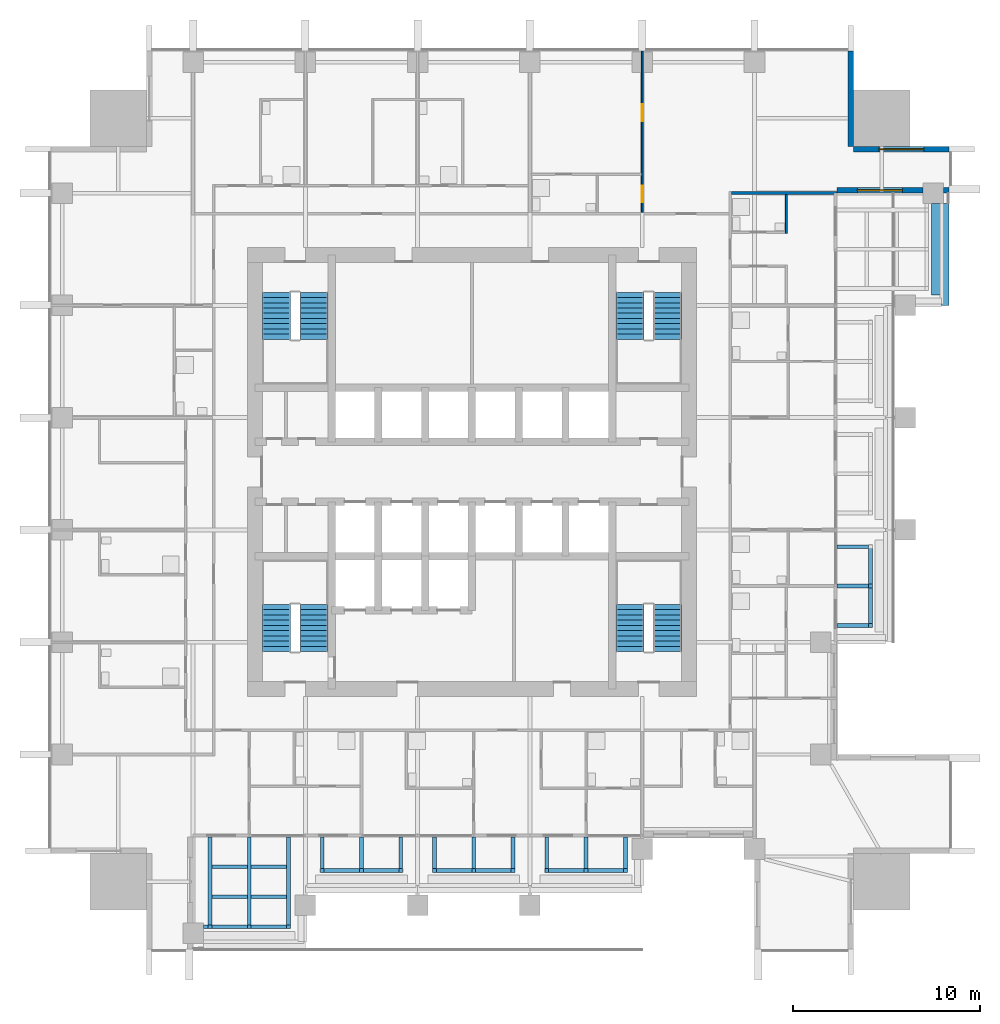
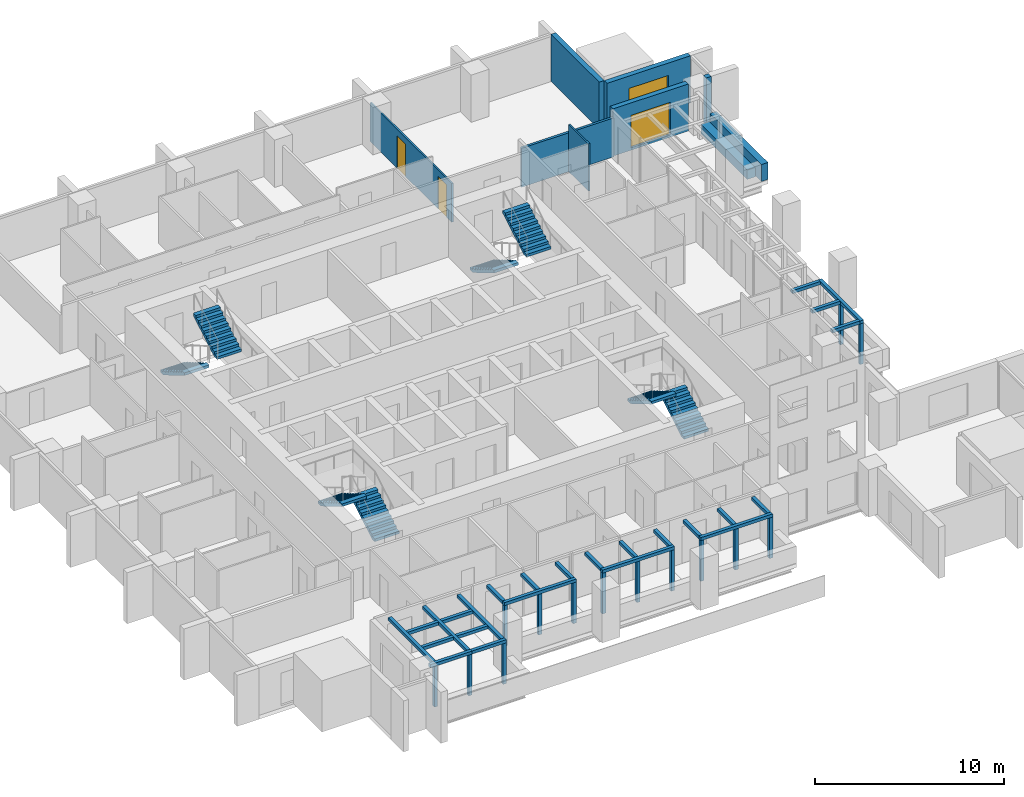
# One storey, part 12 of 16: 39 discrete accessories, 9 walls, 8 stair flights, 2 doors, 2 windows, 4 openings, 4 elements without a shape of their own.
"""IFC4 building model written with IfcOpenShell, lengths in metres."""

import ifcopenshell
import ifcopenshell.guid

model = None  # the IFC model being written
_history = None  # IfcOwnerHistory: only IFC2X3 demands one
_inside = {}  # id of a spatial element -> (the spatial element, [elements in it])
_under = {}  # id of a project, library or spatial element -> (it, [spatial elements below it])
_declared = {}  # id of a project -> (the project, [libraries it declares])
_typed = {}  # id of a type object -> (the type object, [elements of that type])
_made_of = {}  # id of a material, layer set ... -> (it, [elements and type objects made of it])


def new_model(schema):
    """Start an empty IFC model of exactly this schema.

    Asked for "IFC4X3", IfcOpenShell would pick the latest addendum, in which some entities
    have other attributes; the version numbers below select the first issue.
    IFC2X3 requires an IfcOwnerHistory on every rooted entity: one is made here for all.
    """
    global model, _history
    if schema == "IFC4X3":
        model = ifcopenshell.file(schema_version=(4, 3, 0, 0))
    else:
        model = ifcopenshell.file(schema=schema)
    _inside.clear()
    _under.clear()
    _declared.clear()
    _typed.clear()
    _made_of.clear()
    _history = None
    if model.schema == "IFC2X3":
        org = make("IfcOrganization", Name="unknown")
        user = make(
            "IfcPersonAndOrganization",
            ThePerson=make("IfcPerson", FamilyName="unknown"),
            TheOrganization=org,
        )
        app = make(
            "IfcApplication",
            ApplicationDeveloper=org,
            Version="unknown",
            ApplicationFullName="unknown",
            ApplicationIdentifier="unknown",
        )
        _history = make(
            "IfcOwnerHistory",
            OwningUser=user,
            OwningApplication=app,
            ChangeAction="ADDED",
            CreationDate=0,
        )
    return model


def make(cls, **values):
    """One entity of the class cls with the attributes given. An attribute that is None is left unset."""
    return model.create_entity(
        cls, **{name: value for name, value in values.items() if value is not None}
    )


def rooted(cls, **values):
    """An entity with a GlobalId (a new one), such as an element, a storey or a relation."""
    return make(cls, GlobalId=ifcopenshell.guid.new(), OwnerHistory=_history, **values)


def si_unit(unit_type, name, prefix=None):
    """IfcSIUnit, for example si_unit("LENGTHUNIT", "METRE", prefix="MILLI")."""
    return make("IfcSIUnit", UnitType=unit_type, Prefix=prefix, Name=name)


def assignment(units):
    """IfcUnitAssignment: the units of a project."""
    return None if units is None else make("IfcUnitAssignment", Units=units)


def point(xyz):
    """IfcCartesianPoint."""
    return None if xyz is None else make("IfcCartesianPoint", Coordinates=xyz)


def direction(xyz):
    """IfcDirection."""
    return None if xyz is None else make("IfcDirection", DirectionRatios=xyz)


def frame(location, z_axis=None, x_axis=None):
    """IfcAxis2Placement3D, a coordinate frame: its origin and axes. An axis left out is left unset."""
    return make(
        "IfcAxis2Placement3D",
        Location=point(location),
        Axis=direction(z_axis),
        RefDirection=direction(x_axis),
    )


def frame_2d(location, x_axis=None):
    """IfcAxis2Placement2D, a coordinate frame in the plane: its origin and x axis."""
    return make(
        "IfcAxis2Placement2D", Location=point(location), RefDirection=direction(x_axis)
    )


def origin():
    """The frame at (0, 0, 0) with its axes left unset."""
    return frame((0.0, 0.0, 0.0))


def origin_2d():
    """The frame at (0, 0) in the plane with its x axis left unset."""
    return frame_2d((0.0, 0.0))


def place(relative_to, where):
    """IfcLocalPlacement: puts the frame where relative to a parent placement (None: the world)."""
    return make(
        "IfcLocalPlacement", PlacementRelTo=relative_to, RelativePlacement=where
    )


def context(
    kind, dimensions, precision=None, world=None, true_north=None, identifier=None
):
    """IfcGeometricRepresentationContext, for example the 3D "Model" context."""
    return make(
        "IfcGeometricRepresentationContext",
        ContextIdentifier=identifier,
        ContextType=kind,
        CoordinateSpaceDimension=dimensions,
        Precision=precision,
        WorldCoordinateSystem=world,
        TrueNorth=true_north,
    )


def subcontext(parent, identifier, kind, view, scale=None):
    """IfcGeometricRepresentationSubContext, for example "Body" below "Model"."""
    return make(
        "IfcGeometricRepresentationSubContext",
        ContextIdentifier=identifier,
        ContextType=kind,
        ParentContext=parent,
        TargetScale=scale,
        TargetView=view,
    )


def project(units=None, contexts=None):
    """IfcProject with its units and contexts."""
    return rooted(
        "IfcProject",
        Name="project",
        RepresentationContexts=contexts,
        UnitsInContext=assignment(units),
    )


def spatial(cls, under=None, at=None, **own):
    """A site, building, storey or space (cls), placed at a placement, below another one or the project."""
    s = rooted(cls, ObjectPlacement=at, **own)
    if under is not None:
        _under.setdefault(under.id(), (under, []))[1].append(s)
    return s


def polyline(points):
    """IfcPolyline through the points."""
    return make("IfcPolyline", Points=[point(p) for p in points])


def profile(cls, at=None, kind="AREA", **sizes):
    """A parametric profile (cls). Its sizes go by their IFC names, for example OverallWidth=200.0."""
    return make(cls, ProfileType=kind, Position=at, **sizes)


def rectangle(**sizes):
    """IfcRectangleProfileDef."""
    return profile("IfcRectangleProfileDef", **sizes)


def outline(outer, holes=None, kind="AREA"):
    """IfcArbitraryClosedProfileDef: a profile drawn as a closed curve; with holes, ...WithVoids."""
    if holes is None:
        return make("IfcArbitraryClosedProfileDef", ProfileType=kind, OuterCurve=outer)
    return make(
        "IfcArbitraryProfileDefWithVoids",
        ProfileType=kind,
        OuterCurve=outer,
        InnerCurves=holes,
    )


def extrude(swept, where, along, depth):
    """IfcExtrudedAreaSolid: the profile swept, set in the frame where, extruded along a direction by depth."""
    return make(
        "IfcExtrudedAreaSolid",
        SweptArea=swept,
        Position=where,
        ExtrudedDirection=direction(along),
        Depth=depth,
    )


def shape(context_of_items, identifier, shape_type, items):
    """IfcShapeRepresentation: the items that make up one representation, for example the "Body"."""
    return make(
        "IfcShapeRepresentation",
        ContextOfItems=context_of_items,
        RepresentationIdentifier=identifier,
        RepresentationType=shape_type,
        Items=items,
    )


def material(Name=None, Category=None):
    """IfcMaterial."""
    return make("IfcMaterial", Name=Name, Category=Category)


def layer(
    of_material, thickness, ventilated=None, Name=None, Category=None, Priority=None
):
    """IfcMaterialLayer: one layer of a wall or slab, of a material (None: an air gap)."""
    return make(
        "IfcMaterialLayer",
        Material=of_material,
        LayerThickness=thickness,
        IsVentilated=ventilated,
        Name=Name,
        Category=Category,
        Priority=Priority,
    )


def layer_set(layers, Name=None):
    """IfcMaterialLayerSet."""
    return make("IfcMaterialLayerSet", MaterialLayers=layers, LayerSetName=Name)


def made_of(thing, what):
    """Note that an element or type object is made of a material, layer set ...; save() writes the relation."""
    if what is not None:
        _made_of.setdefault(what.id(), (what, []))[1].append(thing)
    return thing


def type_object(cls, material=None, **own):
    """A type object (cls), such as IfcWallType, which elements share."""
    return made_of(rooted(cls, **own), material)


def element(
    cls,
    number,
    at=None,
    inside=None,
    cuts=None,
    type_object=None,
    material=None,
    context=None,
    identifier="Body",
    shape_type=None,
    held_by="IfcProductDefinitionShape",
    body=None,
    shapes=None,
    **own,
):
    """One element of the class cls, such as IfcWall. Its Tag is "e" and its number.

    at: its placement. inside: the storey or other place that contains it. cuts: it is an
    opening in that element (IfcRelVoidsElement). A single representation is given by context,
    identifier, shape_type and body (its items); several are given by shapes. held_by: the class
    of the entity that holds the representations. save() writes the other relations.
    """
    e = rooted(cls, Tag="e%d" % number, ObjectPlacement=at, **own)
    if body is not None:
        shapes = [shape(context, identifier, shape_type, body)]
    if shapes is not None:
        e.Representation = make(held_by, Representations=shapes)
    if inside is not None:
        _inside.setdefault(inside.id(), (inside, []))[1].append(e)
    if cuts is not None:
        rooted(
            "IfcRelVoidsElement", RelatingBuildingElement=cuts, RelatedOpeningElement=e
        )
    if type_object is not None:
        _typed.setdefault(type_object.id(), (type_object, []))[1].append(e)
    return made_of(e, material)


def fill(opening, filler):
    """IfcRelFillsElement: the door or window that sits in an opening."""
    return rooted(
        "IfcRelFillsElement",
        RelatingOpeningElement=opening,
        RelatedBuildingElement=filler,
    )


def aggregate(whole, parts):
    """IfcRelAggregates: a whole, such as a stair, and the parts it consists of."""
    return rooted("IfcRelAggregates", RelatingObject=whole, RelatedObjects=parts)


def save(model, path):
    """Write the relations noted so far, then the file.

    IfcRelAggregates (storeys below a building ...), IfcRelContainedInSpatialStructure (elements
    in a storey), IfcRelDefinesByType, IfcRelAssociatesMaterial and IfcRelDeclares: one each for
    every whole, place, type object, material and project.
    """
    for whole, parts in _under.values():
        aggregate(whole, parts)
    for where, things in _inside.values():
        rooted(
            "IfcRelContainedInSpatialStructure",
            RelatedElements=things,
            RelatingStructure=where,
        )
    for kind, things in _typed.values():
        rooted("IfcRelDefinesByType", RelatedObjects=things, RelatingType=kind)
    for what, things in _made_of.values():
        rooted("IfcRelAssociatesMaterial", RelatedObjects=things, RelatingMaterial=what)
    for by, libraries in _declared.values():
        rooted("IfcRelDeclares", RelatingContext=by, RelatedDefinitions=libraries)
    model.write(path)


model = new_model("IFC4")

# Units and contexts
model_context = context("Model", 3, precision=1e-05, world=origin(), true_north=direction((0.0, 1.0)))
body_context = subcontext(model_context, "Body", "Model", "MODEL_VIEW")
ifc_project = project(units=[si_unit("LENGTHUNIT", "METRE"), si_unit("AREAUNIT", "SQUARE_METRE"), si_unit("VOLUMEUNIT", "CUBIC_METRE"), si_unit("PLANEANGLEUNIT", "RADIAN"), si_unit("MASSUNIT", "GRAM", prefix="KILO")], contexts=[model_context])

# Site, building, storey
site_placement = place(None, origin())
site = spatial("IfcSite", under=ifc_project, at=site_placement, CompositionType="ELEMENT")
building_placement = place(site_placement, origin())
building = spatial("IfcBuilding", under=site, at=building_placement, Name="Amberfall Residences", CompositionType="ELEMENT")
storey_placement = place(building_placement, frame((0.0, 0.0, 108.39990234375)))
storey = spatial("IfcBuildingStorey", under=building, at=storey_placement, Name="L29", CompositionType="ELEMENT", Elevation=108.39990234375)

# Wall, opening, window
ifc_material_1 = material(Name="Pale stone cladding on insulated backing", Category="masonry")
ifc_layer_1 = layer(ifc_material_1, 0.300048828125)
ifc_layer_set_1 = layer_set([ifc_layer_1], Name="Bronze clad wall 300")
wall_type_1 = type_object("IfcWallType", Name="Bronze clad wall 300", PredefinedType="SOLIDWALL", material=ifc_layer_set_1)
wall_1_placement = place(storey_placement, frame((94.0, 60.550048828125, 0.0), z_axis=(0.0, 0.0, 1.0), x_axis=(1.0, 0.0, 0.0)))
wall_1 = element("IfcWall", 1, at=wall_1_placement, inside=storey, type_object=wall_type_1, Name="External wall L29 E", PredefinedType="SOLIDWALL", context=body_context, shape_type="SweptSolid", body=[
    extrude(rectangle(XDim=4.60009765625, YDim=0.300048828125, at=frame_2d((2.300048828125, 0.0))), origin(), (0.0, 0.0, 1.0), 3.050048828125),
])
opening_1_placement = place(wall_1_placement, frame((1.10009765625, 0.0, 0.14990234375)))
opening_1 = element("IfcOpeningElement", 2, at=opening_1_placement, cuts=wall_1, Name="Opening WN5", PredefinedType="OPENING", context=body_context, shape_type="SweptSolid", body=[
    extrude(rectangle(XDim=2.39990234375, YDim=2.10009765625, at=frame_2d((1.199951171875, 1.050048828125))), frame((0.0, 0.159912109375, 0.0), z_axis=(0.0, -1.0, 0.0), x_axis=(1.0, 0.0, 0.0)), (0.0, 0.0, 1.0), 0.320068359375),
])
ifc_material_2 = material(Name="Bronze aluminium framed glazing", Category="aluminium")
window_type = type_object("IfcWindowType", Name="Glazed opening 2400 x 2100 bronze", PartitioningType="DOUBLE_PANEL_VERTICAL", PredefinedType="WINDOW", material=ifc_material_2)
window_1_placement = place(opening_1_placement, origin())
window_1 = element("IfcWindow", 3, at=window_1_placement, inside=storey, type_object=window_type, Name="Window L29 E", OverallHeight=2.10009765625, OverallWidth=2.39990234375, PartitioningType="DOUBLE_PANEL_VERTICAL", PredefinedType="WINDOW", context=body_context, shape_type="SweptSolid", body=[
    extrude(rectangle(XDim=2.39990234375, YDim=2.10009765625, at=frame_2d((1.199951171875, 1.050048828125))), frame((0.0, 0.030029296875, 0.0), z_axis=(0.0, -1.0, 0.0), x_axis=(1.0, 0.0, 0.0)), (0.0, 0.0, 1.0), 0.06005859375),
])
fill(opening_1, window_1)

# Wall
wall_2_placement = place(storey_placement, frame((99.699951171875, 60.550048828125, 0.0), z_axis=(0.0, 0.0, 1.0), x_axis=(1.0, 0.0, 0.0)))
element("IfcWall", 4, at=wall_2_placement, inside=storey, type_object=wall_type_1, Name="External wall L29 E", PredefinedType="SOLIDWALL", context=body_context, shape_type="SweptSolid", body=[
    extrude(rectangle(XDim=0.300048828125, YDim=0.300048828125, at=frame_2d((0.14990234375, 0.0))), origin(), (0.0, 0.0, 1.0), 3.050048828125),
])

# Wall, opening, window
wall_3_placement = place(storey_placement, frame((100.0, 62.75, 0.0), z_axis=(0.0, 0.0, 1.0), x_axis=(-1.0, 0.0, 0.0)))
wall_3 = element("IfcWall", 5, at=wall_3_placement, inside=storey, type_object=wall_type_1, Name="External wall L29 NE", PredefinedType="SOLIDWALL", context=body_context, shape_type="SweptSolid", body=[
    extrude(rectangle(XDim=5.10009765625, YDim=0.300048828125, at=frame_2d((2.550048828125, 0.0))), origin(), (0.0, 0.0, 1.0), 3.050048828125),
])
opening_2_placement = place(wall_3_placement, frame((1.35009765625, 0.0, 0.14990234375)))
opening_2 = element("IfcOpeningElement", 6, at=opening_2_placement, cuts=wall_3, Name="Opening WN5", PredefinedType="OPENING", context=body_context, shape_type="SweptSolid", body=[
    extrude(rectangle(XDim=2.39990234375, YDim=2.10009765625, at=frame_2d((1.199951171875, 1.050048828125))), frame((0.0, 0.159912109375, 0.0), z_axis=(0.0, -1.0, 0.0), x_axis=(1.0, 0.0, 0.0)), (0.0, 0.0, 1.0), 0.320068359375),
])
window_2_placement = place(opening_2_placement, origin())
window_2 = element("IfcWindow", 7, at=window_2_placement, inside=storey, type_object=window_type, Name="Window L29 NE", OverallHeight=2.10009765625, OverallWidth=2.39990234375, PartitioningType="DOUBLE_PANEL_VERTICAL", PredefinedType="WINDOW", context=body_context, shape_type="SweptSolid", body=[
    extrude(rectangle(XDim=2.39990234375, YDim=2.10009765625, at=frame_2d((1.199951171875, 1.050048828125))), frame((0.0, 0.030029296875, 0.0), z_axis=(0.0, -1.0, 0.0), x_axis=(1.0, 0.0, 0.0)), (0.0, 0.0, 1.0), 0.06005859375),
])
fill(opening_2, window_2)

# Wall
wall_4_placement = place(storey_placement, frame((94.75, 62.89990234375, 0.0), z_axis=(0.0, 0.0, 1.0), x_axis=(0.0, 1.0, 0.0)))
element("IfcWall", 8, at=wall_4_placement, inside=storey, type_object=wall_type_1, Name="External wall L29 NE", PredefinedType="SOLIDWALL", context=body_context, shape_type="SweptSolid", body=[
    extrude(rectangle(XDim=5.10009765625, YDim=0.300048828125, at=frame_2d((2.550048828125, 0.0))), origin(), (0.0, 0.0, 1.0), 3.050048828125),
])

# Wall, openings, doors
ifc_material_3 = material(Name="Gypsum board on metal stud")
ifc_layer_2 = layer(ifc_material_3, 0.10009765625)
ifc_layer_set_2 = layer_set([ifc_layer_2], Name="Flat partition 100")
wall_type_2 = type_object("IfcWallType", Name="Flat partition 100", PredefinedType="PARTITIONING", material=ifc_layer_set_2)
wall_5_placement = place(storey_placement, frame((83.60009765625, 59.375, 0.0), z_axis=(0.0, 0.0, 1.0), x_axis=(0.0, 1.0, 0.0)))
wall_5 = element("IfcWall", 9, at=wall_5_placement, inside=storey, type_object=wall_type_2, Name="Partition 019", PredefinedType="PARTITIONING", context=body_context, shape_type="SweptSolid", body=[
    extrude(rectangle(XDim=8.625, YDim=0.10009765625, at=frame_2d((4.3125, 0.0))), origin(), (0.0, 0.0, 1.0), 2.51611328125),
])
opening_3_placement = place(wall_5_placement, frame((0.52490234375, 0.0, 0.0)))
opening_3 = element("IfcOpeningElement", 10, at=opening_3_placement, cuts=wall_5, Name="Opening D41", PredefinedType="OPENING", context=body_context, shape_type="SweptSolid", body=[
    extrude(rectangle(XDim=0.89990234375, YDim=2.10009765625, at=frame_2d((0.449951171875, 1.050048828125))), frame((0.0, 0.06005859375, 0.0), z_axis=(0.0, -1.0, 0.0), x_axis=(1.0, 0.0, 0.0)), (0.0, 0.0, 1.0), 0.1201171875),
])
opening_4_placement = place(wall_5_placement, frame((4.875, 0.0, 0.0)))
opening_4 = element("IfcOpeningElement", 11, at=opening_4_placement, cuts=wall_5, Name="Opening D41", PredefinedType="OPENING", context=body_context, shape_type="SweptSolid", body=[
    extrude(rectangle(XDim=0.89990234375, YDim=2.10009765625, at=frame_2d((0.449951171875, 1.050048828125))), frame((0.0, 0.06005859375, 0.0), z_axis=(0.0, -1.0, 0.0), x_axis=(1.0, 0.0, 0.0)), (0.0, 0.0, 1.0), 0.1201171875),
])
ifc_material_4 = material(Name="Timber", Category="wood")
door_type = type_object("IfcDoorType", Name="Internal door 900 x 2100", OperationType="SINGLE_SWING_LEFT", PredefinedType="DOOR", material=ifc_material_4)
door_1_placement = place(opening_3_placement, origin())
door_1 = element("IfcDoor", 12, at=door_1_placement, inside=storey, type_object=door_type, Name="Door 2908 kitchen", OperationType="SINGLE_SWING_LEFT", OverallHeight=2.10009765625, OverallWidth=0.89990234375, PredefinedType="DOOR", context=body_context, shape_type="SweptSolid", body=[
    extrude(rectangle(XDim=0.89990234375, YDim=2.10009765625, at=frame_2d((0.449951171875, 1.050048828125))), frame((0.0, 0.02490234375, 0.0), z_axis=(0.0, -1.0, 0.0), x_axis=(1.0, 0.0, 0.0)), (0.0, 0.0, 1.0), 0.050048828125),
])
fill(opening_3, door_1)
door_2_placement = place(opening_4_placement, origin())
door_2 = element("IfcDoor", 13, at=door_2_placement, inside=storey, type_object=door_type, Name="Door 2908 bedroom1", OperationType="SINGLE_SWING_LEFT", OverallHeight=2.10009765625, OverallWidth=0.89990234375, PredefinedType="DOOR", context=body_context, shape_type="SweptSolid", body=[
    extrude(rectangle(XDim=0.89990234375, YDim=2.10009765625, at=frame_2d((0.449951171875, 1.050048828125))), frame((0.0, 0.02490234375, 0.0), z_axis=(0.0, -1.0, 0.0), x_axis=(1.0, 0.0, 0.0)), (0.0, 0.0, 1.0), 0.050048828125),
])
fill(opening_4, door_2)

# Walls
wall_6_placement = place(storey_placement, frame((91.300048828125, 58.25, 0.0), z_axis=(0.0, 0.0, 1.0), x_axis=(0.0, 1.0, 0.0)))
element("IfcWall", 14, at=wall_6_placement, inside=storey, type_object=wall_type_2, Name="Partition 024", PredefinedType="PARTITIONING", context=body_context, shape_type="SweptSolid", body=[
    extrude(rectangle(XDim=2.074951171875, YDim=0.10009765625, at=frame_2d((1.03759765625, 0.0))), origin(), (0.0, 0.0, 1.0), 3.050048828125),
])
ifc_material_5 = material(Name="Blockwork, plastered", Category="masonry")
ifc_layer_3 = layer(ifc_material_5, 0.14990234375)
ifc_layer_set_3 = layer_set([ifc_layer_3], Name="Flat separating wall 150")
wall_type_3 = type_object("IfcWallType", Name="Flat separating wall 150", PredefinedType="PARTITIONING", material=ifc_layer_set_3)
wall_7_placement = place(storey_placement, frame((88.375, 60.39990234375, 0.0), z_axis=(0.0, 0.0, 1.0), x_axis=(1.0, 0.0, 0.0)))
element("IfcWall", 15, at=wall_7_placement, inside=storey, type_object=wall_type_3, Name="Separating wall 058", PredefinedType="PARTITIONING", context=body_context, shape_type="SweptSolid", body=[
    extrude(rectangle(XDim=5.625, YDim=0.14990234375, at=frame_2d((2.8125, 0.0))), origin(), (0.0, 0.0, 1.0), 2.51611328125),
])
ifc_material_6 = material(Name="Precast concrete C32/40", Category="concrete")
ifc_layer_4 = layer(ifc_material_6, 0.5)
ifc_layer_set_4 = layer_set([ifc_layer_4], Name="Planter wall 500")
wall_type_4 = type_object("IfcWallType", Name="Planter wall 500", PredefinedType="SOLIDWALL", material=ifc_layer_set_4)
wall_8_placement = place(storey_placement, frame((99.300048828125, 54.949951171875, 0.030029296875), z_axis=(0.0, 0.0, 1.0), x_axis=(0.0, 1.0, 0.0)))
element("IfcWall", 16, at=wall_8_placement, inside=storey, type_object=wall_type_4, Name="Planter L29 E5", PredefinedType="SOLIDWALL", context=body_context, shape_type="SweptSolid", body=[
    extrude(rectangle(XDim=4.900146484375, YDim=0.5, at=frame_2d((2.4501953125, 0.0))), origin(), (0.0, 0.0, 1.0), 0.60009765625),
])
ifc_material_7 = material(Name="Pale stone faced Concrete C40", Category="masonry")
ifc_layer_5 = layer(ifc_material_7, 0.39990234375)
ifc_layer_set_5 = layer_set([ifc_layer_5], Name="Terrace parapet wall 400")
wall_type_5 = type_object("IfcWallType", Name="Terrace parapet wall 400", PredefinedType="PARAPET", material=ifc_layer_set_5)
wall_9_placement = place(storey_placement, frame((99.800048828125, 54.39990234375, 0.030029296875), z_axis=(0.0, 0.0, 1.0), x_axis=(0.0, 1.0, 0.0)))
element("IfcWall", 17, at=wall_9_placement, inside=storey, type_object=wall_type_5, Name="Terrace parapet L29 E5", PredefinedType="PARAPET", context=body_context, shape_type="SweptSolid", body=[
    extrude(rectangle(XDim=5.4501953125, YDim=0.39990234375, at=frame_2d((2.72509765625, 0.0))), origin(), (0.0, 0.0, 1.0), 1.10009765625),
])

# Stair, stair flights
ifc_material_8 = material(Name="Concrete C40", Category="concrete")
stair_type = type_object("IfcStairType", Name="Exit stair 20 risers 165.0 mm", PredefinedType="HALF_TURN_STAIR", material=ifc_material_8)
stair_1_placement = place(storey_placement, origin())
stair_1 = element("IfcStair", 18, at=stair_1_placement, inside=storey, type_object=stair_type, Name="L29 Exit stair 1", PredefinedType="HALF_TURN_STAIR")
stair_flight_type = type_object("IfcStairFlightType", Name="Stair flight 10 risers 165.0 mm", PredefinedType="STRAIGHT", material=ifc_material_8)
stair_flight_1_placement = place(storey_placement, frame((66.050048828125, 35.89990234375, 0.0), z_axis=(0.0, 0.0, 1.0), x_axis=(0.0, 1.0, 0.0)))
stair_flight_1 = element("IfcStairFlight", 19, at=stair_flight_1_placement, type_object=stair_flight_type, Name="ST3 flight 1", NumberOfRisers=10, NumberOfTreads=9, PredefinedType="STRAIGHT", RiserHeight=0.165, TreadLength=0.28, context=body_context, shape_type="SweptSolid", body=[
    extrude(outline(polyline([(0.0, 0.0), (0.0, 0.1650390625), (0.280029296875, 0.1650390625), (0.280029296875, 0.330078125), (0.56005859375, 0.330078125), (0.56005859375, 0.4951171875), (0.840087890625, 0.4951171875), (0.840087890625, 0.659912109375), (1.1201171875, 0.659912109375), (1.1201171875, 0.824951171875), (1.39990234375, 0.824951171875), (1.39990234375, 0.989990234375), (1.679931640625, 0.989990234375), (1.679931640625, 1.155029296875), (1.9599609375, 1.155029296875), (1.9599609375, 1.320068359375), (2.239990234375, 1.320068359375), (2.239990234375, 1.485107421875), (2.52001953125, 1.485107421875), (2.52001953125, 1.64990234375), (2.52001953125, 1.31103515625), (0.295166015625, 0.0), (0.0, 0.0)])), frame((0.0, 0.75, 0.0), z_axis=(0.0, -1.0, 0.0), x_axis=(1.0, 0.0, 0.0)), (0.0, 0.0, 1.0), 1.5),
])
stair_flight_2_placement = place(storey_placement, frame((64.050048828125, 38.419921875, 1.650146484375), z_axis=(0.0, 0.0, 1.0), x_axis=(0.0, -1.0, 0.0)))
stair_flight_2 = element("IfcStairFlight", 20, at=stair_flight_2_placement, type_object=stair_flight_type, Name="ST3 flight 2", NumberOfRisers=10, NumberOfTreads=9, PredefinedType="STRAIGHT", RiserHeight=0.165, TreadLength=0.28, context=body_context, shape_type="SweptSolid", body=[
    extrude(outline(polyline([(0.0, 0.0), (0.0, 0.1650390625), (0.280029296875, 0.1650390625), (0.280029296875, 0.330078125), (0.56005859375, 0.330078125), (0.56005859375, 0.4951171875), (0.840087890625, 0.4951171875), (0.840087890625, 0.659912109375), (1.1201171875, 0.659912109375), (1.1201171875, 0.824951171875), (1.39990234375, 0.824951171875), (1.39990234375, 0.989990234375), (1.679931640625, 0.989990234375), (1.679931640625, 1.155029296875), (1.9599609375, 1.155029296875), (1.9599609375, 1.320068359375), (2.239990234375, 1.320068359375), (2.239990234375, 1.485107421875), (2.52001953125, 1.485107421875), (2.52001953125, 1.64990234375), (2.52001953125, 1.31103515625), (0.295166015625, 0.0), (0.0, 0.0)])), frame((0.0, 0.75, 0.0), z_axis=(0.0, -1.0, 0.0), x_axis=(1.0, 0.0, 0.0)), (0.0, 0.0, 1.0), 1.5),
])
aggregate(stair_1, [stair_flight_1, stair_flight_2])

stair_2_placement = place(storey_placement, origin())
stair_2 = element("IfcStair", 21, at=stair_2_placement, inside=storey, type_object=stair_type, Name="L29 Exit stair 2", PredefinedType="HALF_TURN_STAIR")
stair_flight_3_placement = place(storey_placement, frame((84.949951171875, 35.89990234375, 0.0), z_axis=(0.0, 0.0, 1.0), x_axis=(0.0, 1.0, 0.0)))
stair_flight_3 = element("IfcStairFlight", 22, at=stair_flight_3_placement, type_object=stair_flight_type, Name="ST3 flight 1", NumberOfRisers=10, NumberOfTreads=9, PredefinedType="STRAIGHT", RiserHeight=0.165, TreadLength=0.28, context=body_context, shape_type="SweptSolid", body=[
    extrude(outline(polyline([(0.0, 0.0), (0.0, 0.1650390625), (0.280029296875, 0.1650390625), (0.280029296875, 0.330078125), (0.56005859375, 0.330078125), (0.56005859375, 0.4951171875), (0.840087890625, 0.4951171875), (0.840087890625, 0.659912109375), (1.1201171875, 0.659912109375), (1.1201171875, 0.824951171875), (1.39990234375, 0.824951171875), (1.39990234375, 0.989990234375), (1.679931640625, 0.989990234375), (1.679931640625, 1.155029296875), (1.9599609375, 1.155029296875), (1.9599609375, 1.320068359375), (2.239990234375, 1.320068359375), (2.239990234375, 1.485107421875), (2.52001953125, 1.485107421875), (2.52001953125, 1.64990234375), (2.52001953125, 1.31103515625), (0.295166015625, 0.0), (0.0, 0.0)])), frame((0.0, 0.75, 0.0), z_axis=(0.0, -1.0, 0.0), x_axis=(1.0, 0.0, 0.0)), (0.0, 0.0, 1.0), 1.5),
])
stair_flight_4_placement = place(storey_placement, frame((82.949951171875, 38.419921875, 1.650146484375), z_axis=(0.0, 0.0, 1.0), x_axis=(0.0, -1.0, 0.0)))
stair_flight_4 = element("IfcStairFlight", 23, at=stair_flight_4_placement, type_object=stair_flight_type, Name="ST3 flight 2", NumberOfRisers=10, NumberOfTreads=9, PredefinedType="STRAIGHT", RiserHeight=0.165, TreadLength=0.28, context=body_context, shape_type="SweptSolid", body=[
    extrude(outline(polyline([(0.0, 0.0), (0.0, 0.1650390625), (0.280029296875, 0.1650390625), (0.280029296875, 0.330078125), (0.56005859375, 0.330078125), (0.56005859375, 0.4951171875), (0.840087890625, 0.4951171875), (0.840087890625, 0.659912109375), (1.1201171875, 0.659912109375), (1.1201171875, 0.824951171875), (1.39990234375, 0.824951171875), (1.39990234375, 0.989990234375), (1.679931640625, 0.989990234375), (1.679931640625, 1.155029296875), (1.9599609375, 1.155029296875), (1.9599609375, 1.320068359375), (2.239990234375, 1.320068359375), (2.239990234375, 1.485107421875), (2.52001953125, 1.485107421875), (2.52001953125, 1.64990234375), (2.52001953125, 1.31103515625), (0.295166015625, 0.0), (0.0, 0.0)])), frame((0.0, 0.75, 0.0), z_axis=(0.0, -1.0, 0.0), x_axis=(1.0, 0.0, 0.0)), (0.0, 0.0, 1.0), 1.5),
])
aggregate(stair_2, [stair_flight_3, stair_flight_4])

stair_3_placement = place(storey_placement, origin())
stair_3 = element("IfcStair", 24, at=stair_3_placement, inside=storey, type_object=stair_type, Name="L29 Exit stair 3", PredefinedType="HALF_TURN_STAIR")
stair_flight_5_placement = place(storey_placement, frame((82.949951171875, 55.10009765625, 0.0), z_axis=(0.0, 0.0, 1.0), x_axis=(0.0, -1.0, 0.0)))
stair_flight_5 = element("IfcStairFlight", 25, at=stair_flight_5_placement, type_object=stair_flight_type, Name="ST3 flight 1", NumberOfRisers=10, NumberOfTreads=9, PredefinedType="STRAIGHT", RiserHeight=0.165, TreadLength=0.28, context=body_context, shape_type="SweptSolid", body=[
    extrude(outline(polyline([(0.0, 0.0), (0.0, 0.1650390625), (0.280029296875, 0.1650390625), (0.280029296875, 0.330078125), (0.56005859375, 0.330078125), (0.56005859375, 0.4951171875), (0.840087890625, 0.4951171875), (0.840087890625, 0.659912109375), (1.1201171875, 0.659912109375), (1.1201171875, 0.824951171875), (1.39990234375, 0.824951171875), (1.39990234375, 0.989990234375), (1.679931640625, 0.989990234375), (1.679931640625, 1.155029296875), (1.9599609375, 1.155029296875), (1.9599609375, 1.320068359375), (2.239990234375, 1.320068359375), (2.239990234375, 1.485107421875), (2.52001953125, 1.485107421875), (2.52001953125, 1.64990234375), (2.52001953125, 1.31103515625), (0.295166015625, 0.0), (0.0, 0.0)])), frame((0.0, 0.75, 0.0), z_axis=(0.0, -1.0, 0.0), x_axis=(1.0, 0.0, 0.0)), (0.0, 0.0, 1.0), 1.5),
])
stair_flight_6_placement = place(storey_placement, frame((84.949951171875, 52.580078125, 1.650146484375), z_axis=(0.0, 0.0, 1.0), x_axis=(0.0, 1.0, 0.0)))
stair_flight_6 = element("IfcStairFlight", 26, at=stair_flight_6_placement, type_object=stair_flight_type, Name="ST3 flight 2", NumberOfRisers=10, NumberOfTreads=9, PredefinedType="STRAIGHT", RiserHeight=0.165, TreadLength=0.28, context=body_context, shape_type="SweptSolid", body=[
    extrude(outline(polyline([(0.0, 0.0), (0.0, 0.1650390625), (0.280029296875, 0.1650390625), (0.280029296875, 0.330078125), (0.56005859375, 0.330078125), (0.56005859375, 0.4951171875), (0.840087890625, 0.4951171875), (0.840087890625, 0.659912109375), (1.1201171875, 0.659912109375), (1.1201171875, 0.824951171875), (1.39990234375, 0.824951171875), (1.39990234375, 0.989990234375), (1.679931640625, 0.989990234375), (1.679931640625, 1.155029296875), (1.9599609375, 1.155029296875), (1.9599609375, 1.320068359375), (2.239990234375, 1.320068359375), (2.239990234375, 1.485107421875), (2.52001953125, 1.485107421875), (2.52001953125, 1.64990234375), (2.52001953125, 1.31103515625), (0.295166015625, 0.0), (0.0, 0.0)])), frame((0.0, 0.75, 0.0), z_axis=(0.0, -1.0, 0.0), x_axis=(1.0, 0.0, 0.0)), (0.0, 0.0, 1.0), 1.5),
])
aggregate(stair_3, [stair_flight_5, stair_flight_6])

stair_4_placement = place(storey_placement, origin())
stair_4 = element("IfcStair", 27, at=stair_4_placement, inside=storey, type_object=stair_type, Name="L29 Exit stair 4", PredefinedType="HALF_TURN_STAIR")
stair_flight_7_placement = place(storey_placement, frame((64.050048828125, 55.10009765625, 0.0), z_axis=(0.0, 0.0, 1.0), x_axis=(0.0, -1.0, 0.0)))
stair_flight_7 = element("IfcStairFlight", 28, at=stair_flight_7_placement, type_object=stair_flight_type, Name="ST3 flight 1", NumberOfRisers=10, NumberOfTreads=9, PredefinedType="STRAIGHT", RiserHeight=0.165, TreadLength=0.28, context=body_context, shape_type="SweptSolid", body=[
    extrude(outline(polyline([(0.0, 0.0), (0.0, 0.1650390625), (0.280029296875, 0.1650390625), (0.280029296875, 0.330078125), (0.56005859375, 0.330078125), (0.56005859375, 0.4951171875), (0.840087890625, 0.4951171875), (0.840087890625, 0.659912109375), (1.1201171875, 0.659912109375), (1.1201171875, 0.824951171875), (1.39990234375, 0.824951171875), (1.39990234375, 0.989990234375), (1.679931640625, 0.989990234375), (1.679931640625, 1.155029296875), (1.9599609375, 1.155029296875), (1.9599609375, 1.320068359375), (2.239990234375, 1.320068359375), (2.239990234375, 1.485107421875), (2.52001953125, 1.485107421875), (2.52001953125, 1.64990234375), (2.52001953125, 1.31103515625), (0.295166015625, 0.0), (0.0, 0.0)])), frame((0.0, 0.75, 0.0), z_axis=(0.0, -1.0, 0.0), x_axis=(1.0, 0.0, 0.0)), (0.0, 0.0, 1.0), 1.5),
])
stair_flight_8_placement = place(storey_placement, frame((66.050048828125, 52.580078125, 1.650146484375), z_axis=(0.0, 0.0, 1.0), x_axis=(0.0, 1.0, 0.0)))
stair_flight_8 = element("IfcStairFlight", 29, at=stair_flight_8_placement, type_object=stair_flight_type, Name="ST3 flight 2", NumberOfRisers=10, NumberOfTreads=9, PredefinedType="STRAIGHT", RiserHeight=0.165, TreadLength=0.28, context=body_context, shape_type="SweptSolid", body=[
    extrude(outline(polyline([(0.0, 0.0), (0.0, 0.1650390625), (0.280029296875, 0.1650390625), (0.280029296875, 0.330078125), (0.56005859375, 0.330078125), (0.56005859375, 0.4951171875), (0.840087890625, 0.4951171875), (0.840087890625, 0.659912109375), (1.1201171875, 0.659912109375), (1.1201171875, 0.824951171875), (1.39990234375, 0.824951171875), (1.39990234375, 0.989990234375), (1.679931640625, 0.989990234375), (1.679931640625, 1.155029296875), (1.9599609375, 1.155029296875), (1.9599609375, 1.320068359375), (2.239990234375, 1.320068359375), (2.239990234375, 1.485107421875), (2.52001953125, 1.485107421875), (2.52001953125, 1.64990234375), (2.52001953125, 1.31103515625), (0.295166015625, 0.0), (0.0, 0.0)])), frame((0.0, 0.75, 0.0), z_axis=(0.0, -1.0, 0.0), x_axis=(1.0, 0.0, 0.0)), (0.0, 0.0, 1.0), 1.5),
])
aggregate(stair_4, [stair_flight_7, stair_flight_8])

# Discrete accessories
for number, where, z_axis, x_axis, name in (
    (30, (60.5, 21.199951171875, 0.000244140625), (0.0, 0.0, 1.0), (1.0, 0.0, 0.0), "Trellis post L29 S1.1"),
    (31, (62.60009765625, 21.199951171875, 0.000244140625), (0.0, 0.0, 1.0), (1.0, 0.0, 0.0), "Trellis post L29 S1.2"),
    (32, (64.699951171875, 21.199951171875, 0.000244140625), (0.0, 0.0, 1.0), (1.0, 0.0, 0.0), "Trellis post L29 S1.3"),
):
    element("IfcDiscreteAccessory", number, at=place(storey_placement, frame(where, z_axis=z_axis, x_axis=x_axis)), inside=storey, Name=name, ObjectType="TRELLIS POST", PredefinedType="USERDEFINED", context=body_context, shape_type="SweptSolid", body=[
        extrude(rectangle(XDim=0.199951171875, YDim=0.199951171875, at=origin_2d()), origin(), (0.0, 0.0, 1.0), 2.6298828125),
    ])
discrete_accessory_1_placement = place(storey_placement, frame((61.425048828125, 21.199951171875, 2.6298828125), z_axis=(0.0, 0.0, 1.0), x_axis=(1.0, 0.0, 0.0)))
element("IfcDiscreteAccessory", 33, at=discrete_accessory_1_placement, inside=storey, Name="Trellis beam L29 S1.e1", ObjectType="TRELLIS BEAM", PredefinedType="USERDEFINED", context=body_context, shape_type="SweptSolid", body=[
    extrude(rectangle(XDim=2.550048828125, YDim=0.199951171875, at=origin_2d()), origin(), (0.0, 0.0, 1.0), 0.199951171875),
])
discrete_accessory_2_placement = place(storey_placement, frame((63.75, 21.199951171875, 2.6298828125), z_axis=(0.0, 0.0, 1.0), x_axis=(1.0, 0.0, 0.0)))
element("IfcDiscreteAccessory", 34, at=discrete_accessory_2_placement, inside=storey, Name="Trellis beam L29 S1.e1.2", ObjectType="TRELLIS BEAM", PredefinedType="USERDEFINED", context=body_context, shape_type="SweptSolid", body=[
    extrude(rectangle(XDim=2.10009765625, YDim=0.199951171875, at=origin_2d()), origin(), (0.0, 0.0, 1.0), 0.199951171875),
])
for number, where, z_axis, x_axis, name in (
    (35, (61.550048828125, 22.800048828125, 2.6298828125), (0.0, 0.0, 1.0), (1.0, 0.0, 0.0), "Trellis beam L29 S1.c1.1"),
    (36, (63.64990234375, 22.800048828125, 2.6298828125), (0.0, 0.0, 1.0), (1.0, 0.0, 0.0), "Trellis beam L29 S1.c1.2"),
    (37, (61.550048828125, 24.39990234375, 2.6298828125), (0.0, 0.0, 1.0), (1.0, 0.0, 0.0), "Trellis beam L29 S1.c2.1"),
    (38, (63.64990234375, 24.39990234375, 2.6298828125), (0.0, 0.0, 1.0), (1.0, 0.0, 0.0), "Trellis beam L29 S1.c2.2"),
):
    element("IfcDiscreteAccessory", number, at=place(storey_placement, frame(where, z_axis=z_axis, x_axis=x_axis)), inside=storey, Name=name, ObjectType="TRELLIS BEAM", PredefinedType="USERDEFINED", context=body_context, shape_type="SweptSolid", body=[
        extrude(rectangle(XDim=1.89990234375, YDim=0.199951171875, at=origin_2d()), origin(), (0.0, 0.0, 1.0), 0.199951171875),
    ])
for number, where, z_axis, x_axis, name in (
    (39, (60.5, 23.64990234375, 2.6298828125), (0.0, 0.0, 1.0), (0.0, 1.0, 0.0), "Trellis beam L29 S1.b1"),
    (40, (62.60009765625, 23.64990234375, 2.6298828125), (0.0, 0.0, 1.0), (0.0, 1.0, 0.0), "Trellis beam L29 S1.b2"),
    (41, (64.699951171875, 23.64990234375, 2.6298828125), (0.0, 0.0, 1.0), (0.0, 1.0, 0.0), "Trellis beam L29 S1.b3"),
):
    element("IfcDiscreteAccessory", number, at=place(storey_placement, frame(where, z_axis=z_axis, x_axis=x_axis)), inside=storey, Name=name, ObjectType="TRELLIS BEAM", PredefinedType="USERDEFINED", context=body_context, shape_type="SweptSolid", body=[
        extrude(rectangle(XDim=4.699951171875, YDim=0.199951171875, at=origin_2d()), origin(), (0.0, 0.0, 1.0), 0.199951171875),
    ])
for number, where, z_axis, x_axis, name in (
    (42, (66.5, 24.199951171875, 0.000244140625), (0.0, 0.0, 1.0), (1.0, 0.0, 0.0), "Trellis post L29 S2.1"),
    (43, (68.60009765625, 24.199951171875, 0.000244140625), (0.0, 0.0, 1.0), (1.0, 0.0, 0.0), "Trellis post L29 S2.2"),
    (44, (70.699951171875, 24.199951171875, 0.000244140625), (0.0, 0.0, 1.0), (1.0, 0.0, 0.0), "Trellis post L29 S2.3"),
):
    element("IfcDiscreteAccessory", number, at=place(storey_placement, frame(where, z_axis=z_axis, x_axis=x_axis)), inside=storey, Name=name, ObjectType="TRELLIS POST", PredefinedType="USERDEFINED", context=body_context, shape_type="SweptSolid", body=[
        extrude(rectangle(XDim=0.199951171875, YDim=0.199951171875, at=origin_2d()), origin(), (0.0, 0.0, 1.0), 2.6298828125),
    ])
discrete_accessory_3_placement = place(storey_placement, frame((68.60009765625, 24.199951171875, 2.6298828125), z_axis=(0.0, 0.0, 1.0), x_axis=(1.0, 0.0, 0.0)))
element("IfcDiscreteAccessory", 45, at=discrete_accessory_3_placement, inside=storey, Name="Trellis beam L29 S2.e1", ObjectType="TRELLIS BEAM", PredefinedType="USERDEFINED", context=body_context, shape_type="SweptSolid", body=[
    extrude(rectangle(XDim=4.39990234375, YDim=0.199951171875, at=origin_2d()), origin(), (0.0, 0.0, 1.0), 0.199951171875),
])
for number, where, z_axis, x_axis, name in (
    (46, (66.5, 25.14990234375, 2.6298828125), (0.0, 0.0, 1.0), (0.0, 1.0, 0.0), "Trellis beam L29 S2.b1"),
    (47, (68.60009765625, 25.14990234375, 2.6298828125), (0.0, 0.0, 1.0), (0.0, 1.0, 0.0), "Trellis beam L29 S2.b2"),
    (48, (70.699951171875, 25.14990234375, 2.6298828125), (0.0, 0.0, 1.0), (0.0, 1.0, 0.0), "Trellis beam L29 S2.b3"),
):
    element("IfcDiscreteAccessory", number, at=place(storey_placement, frame(where, z_axis=z_axis, x_axis=x_axis)), inside=storey, Name=name, ObjectType="TRELLIS BEAM", PredefinedType="USERDEFINED", context=body_context, shape_type="SweptSolid", body=[
        extrude(rectangle(XDim=1.699951171875, YDim=0.199951171875, at=origin_2d()), origin(), (0.0, 0.0, 1.0), 0.199951171875),
    ])
for number, where, z_axis, x_axis, name in (
    (49, (72.5, 24.199951171875, 0.000244140625), (0.0, 0.0, 1.0), (1.0, 0.0, 0.0), "Trellis post L29 S3.1"),
    (50, (74.60009765625, 24.199951171875, 0.000244140625), (0.0, 0.0, 1.0), (1.0, 0.0, 0.0), "Trellis post L29 S3.2"),
    (51, (76.699951171875, 24.199951171875, 0.000244140625), (0.0, 0.0, 1.0), (1.0, 0.0, 0.0), "Trellis post L29 S3.3"),
):
    element("IfcDiscreteAccessory", number, at=place(storey_placement, frame(where, z_axis=z_axis, x_axis=x_axis)), inside=storey, Name=name, ObjectType="TRELLIS POST", PredefinedType="USERDEFINED", context=body_context, shape_type="SweptSolid", body=[
        extrude(rectangle(XDim=0.199951171875, YDim=0.199951171875, at=origin_2d()), origin(), (0.0, 0.0, 1.0), 2.6298828125),
    ])
discrete_accessory_4_placement = place(storey_placement, frame((74.60009765625, 24.199951171875, 2.6298828125), z_axis=(0.0, 0.0, 1.0), x_axis=(1.0, 0.0, 0.0)))
element("IfcDiscreteAccessory", 52, at=discrete_accessory_4_placement, inside=storey, Name="Trellis beam L29 S3.e1", ObjectType="TRELLIS BEAM", PredefinedType="USERDEFINED", context=body_context, shape_type="SweptSolid", body=[
    extrude(rectangle(XDim=4.39990234375, YDim=0.199951171875, at=origin_2d()), origin(), (0.0, 0.0, 1.0), 0.199951171875),
])
for number, where, z_axis, x_axis, name in (
    (53, (72.5, 25.14990234375, 2.6298828125), (0.0, 0.0, 1.0), (0.0, 1.0, 0.0), "Trellis beam L29 S3.b1"),
    (54, (74.60009765625, 25.14990234375, 2.6298828125), (0.0, 0.0, 1.0), (0.0, 1.0, 0.0), "Trellis beam L29 S3.b2"),
    (55, (76.699951171875, 25.14990234375, 2.6298828125), (0.0, 0.0, 1.0), (0.0, 1.0, 0.0), "Trellis beam L29 S3.b3"),
):
    element("IfcDiscreteAccessory", number, at=place(storey_placement, frame(where, z_axis=z_axis, x_axis=x_axis)), inside=storey, Name=name, ObjectType="TRELLIS BEAM", PredefinedType="USERDEFINED", context=body_context, shape_type="SweptSolid", body=[
        extrude(rectangle(XDim=1.699951171875, YDim=0.199951171875, at=origin_2d()), origin(), (0.0, 0.0, 1.0), 0.199951171875),
    ])
for number, where, z_axis, x_axis, name in (
    (56, (78.5, 24.199951171875, 0.000244140625), (0.0, 0.0, 1.0), (1.0, 0.0, 0.0), "Trellis post L29 S4.1"),
    (57, (80.60009765625, 24.199951171875, 0.000244140625), (0.0, 0.0, 1.0), (1.0, 0.0, 0.0), "Trellis post L29 S4.2"),
    (58, (82.699951171875, 24.199951171875, 0.000244140625), (0.0, 0.0, 1.0), (1.0, 0.0, 0.0), "Trellis post L29 S4.3"),
):
    element("IfcDiscreteAccessory", number, at=place(storey_placement, frame(where, z_axis=z_axis, x_axis=x_axis)), inside=storey, Name=name, ObjectType="TRELLIS POST", PredefinedType="USERDEFINED", context=body_context, shape_type="SweptSolid", body=[
        extrude(rectangle(XDim=0.199951171875, YDim=0.199951171875, at=origin_2d()), origin(), (0.0, 0.0, 1.0), 2.6298828125),
    ])
discrete_accessory_5_placement = place(storey_placement, frame((80.60009765625, 24.199951171875, 2.6298828125), z_axis=(0.0, 0.0, 1.0), x_axis=(1.0, 0.0, 0.0)))
element("IfcDiscreteAccessory", 59, at=discrete_accessory_5_placement, inside=storey, Name="Trellis beam L29 S4.e1", ObjectType="TRELLIS BEAM", PredefinedType="USERDEFINED", context=body_context, shape_type="SweptSolid", body=[
    extrude(rectangle(XDim=4.39990234375, YDim=0.199951171875, at=origin_2d()), origin(), (0.0, 0.0, 1.0), 0.199951171875),
])
for number, where, z_axis, x_axis, name in (
    (60, (78.5, 25.14990234375, 2.6298828125), (0.0, 0.0, 1.0), (0.0, 1.0, 0.0), "Trellis beam L29 S4.b1"),
    (61, (80.60009765625, 25.14990234375, 2.6298828125), (0.0, 0.0, 1.0), (0.0, 1.0, 0.0), "Trellis beam L29 S4.b2"),
    (62, (82.699951171875, 25.14990234375, 2.6298828125), (0.0, 0.0, 1.0), (0.0, 1.0, 0.0), "Trellis beam L29 S4.b3"),
):
    element("IfcDiscreteAccessory", number, at=place(storey_placement, frame(where, z_axis=z_axis, x_axis=x_axis)), inside=storey, Name=name, ObjectType="TRELLIS BEAM", PredefinedType="USERDEFINED", context=body_context, shape_type="SweptSolid", body=[
        extrude(rectangle(XDim=1.699951171875, YDim=0.199951171875, at=origin_2d()), origin(), (0.0, 0.0, 1.0), 0.199951171875),
    ])
for number, where, z_axis, x_axis, name in (
    (63, (95.800048828125, 37.300048828125, 0.000244140625), (0.0, 0.0, 1.0), (1.0, 0.0, 0.0), "Trellis post L29 E2.1"),
    (64, (95.800048828125, 39.39990234375, 0.000244140625), (0.0, 0.0, 1.0), (1.0, 0.0, 0.0), "Trellis post L29 E2.2"),
):
    element("IfcDiscreteAccessory", number, at=place(storey_placement, frame(where, z_axis=z_axis, x_axis=x_axis)), inside=storey, Name=name, ObjectType="TRELLIS POST", PredefinedType="USERDEFINED", context=body_context, shape_type="SweptSolid", body=[
        extrude(rectangle(XDim=0.199951171875, YDim=0.199951171875, at=origin_2d()), origin(), (0.0, 0.0, 1.0), 2.6298828125),
    ])
discrete_accessory_6_placement = place(storey_placement, frame((95.800048828125, 39.39990234375, 2.6298828125), z_axis=(0.0, 0.0, 1.0), x_axis=(0.0, 1.0, 0.0)))
element("IfcDiscreteAccessory", 65, at=discrete_accessory_6_placement, inside=storey, Name="Trellis beam L29 E2.e1", ObjectType="TRELLIS BEAM", PredefinedType="USERDEFINED", context=body_context, shape_type="SweptSolid", body=[
    extrude(rectangle(XDim=4.39990234375, YDim=0.199951171875, at=origin_2d()), origin(), (0.0, 0.0, 1.0), 0.199951171875),
])
for number, where, z_axis, x_axis, name in (
    (66, (94.85009765625, 37.300048828125, 2.6298828125), (0.0, 0.0, 1.0), (-1.0, 0.0, 0.0), "Trellis beam L29 E2.b1"),
    (67, (94.85009765625, 39.39990234375, 2.6298828125), (0.0, 0.0, 1.0), (-1.0, 0.0, 0.0), "Trellis beam L29 E2.b2"),
    (68, (94.85009765625, 41.5, 2.6298828125), (0.0, 0.0, 1.0), (-1.0, 0.0, 0.0), "Trellis beam L29 E2.b3"),
):
    element("IfcDiscreteAccessory", number, at=place(storey_placement, frame(where, z_axis=z_axis, x_axis=x_axis)), inside=storey, Name=name, ObjectType="TRELLIS BEAM", PredefinedType="USERDEFINED", context=body_context, shape_type="SweptSolid", body=[
        extrude(rectangle(XDim=1.699951171875, YDim=0.199951171875, at=origin_2d()), origin(), (0.0, 0.0, 1.0), 0.199951171875),
    ])

save(model, "model.ifc")
